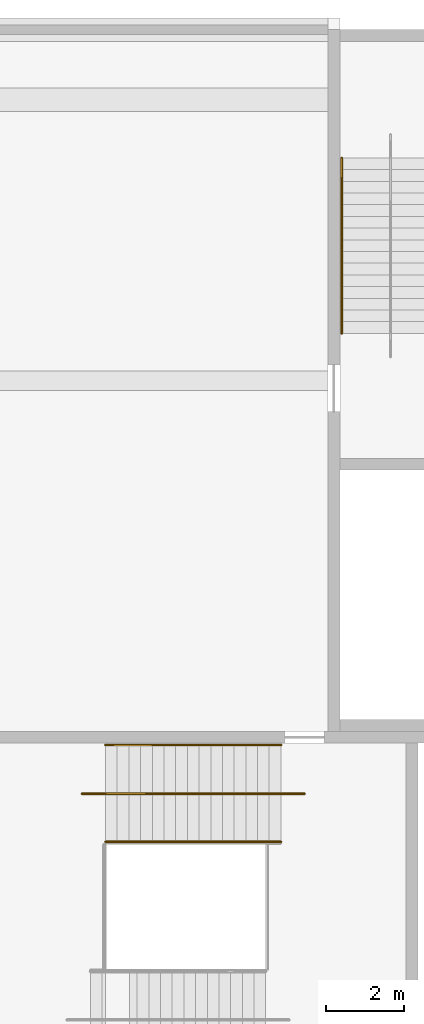
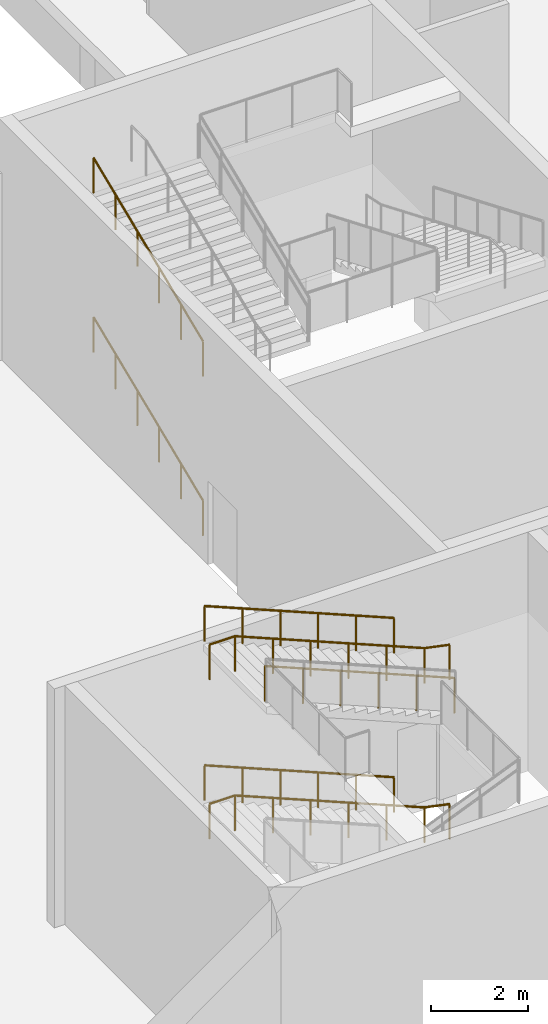
# One storey, part 75 of 89: 7 railings.
"""IFC4 building model written with IfcOpenShell, lengths in metres."""

from ifc_helpers import new_model, si_unit, direction, frame, origin, origin_2d, place, context, subcontext, project, spatial, circle, extrude, material, type_object, element, save


model = new_model("IFC4")

# Units and contexts
model_context = context("Model", 3, precision=1e-05, world=origin(), true_north=direction((0.0, 1.0)))
body_context = subcontext(model_context, "Body", "Model", "MODEL_VIEW")
ifc_project = project(units=[si_unit("LENGTHUNIT", "METRE"), si_unit("AREAUNIT", "SQUARE_METRE"), si_unit("VOLUMEUNIT", "CUBIC_METRE"), si_unit("PLANEANGLEUNIT", "RADIAN"), si_unit("MASSUNIT", "GRAM", prefix="KILO")], contexts=[model_context])

# Site, building, storey
site_placement = place(None, origin())
site = spatial("IfcSite", under=ifc_project, at=site_placement, CompositionType="ELEMENT")
building_placement = place(site_placement, origin())
building = spatial("IfcBuilding", under=site, at=building_placement, Name="Silverbay Arena", CompositionType="ELEMENT")
storey_placement = place(building_placement, frame((0.0, 0.0, 22.0)))
storey = spatial("IfcBuildingStorey", under=building, at=storey_placement, Name="L03", CompositionType="ELEMENT", Elevation=22.0)

# Railings
ifc_material = material(Name="Stainless steel", Category="steel")
railing_type = type_object("IfcRailingType", Name="Stair handrail 900", PredefinedType="HANDRAIL", material=ifc_material)
railing_1_placement = place(storey_placement, frame((178.7900390625, 44.64990234375, 0.125)))
element("IfcRailing", 1, at=railing_1_placement, inside=storey, type_object=railing_type, Name="Stair ST-SE1 L03 to L04 flight 1 handrail left", PredefinedType="HANDRAIL", context=body_context, shape_type="SweptSolid", body=[
    extrude(circle(Radius=0.02392578125, at=origin_2d()), frame((0.0, 0.0, 0.8759765625), z_axis=(-0.923076923077, 0.0, 0.384615384615), x_axis=(0.0, -1.0, 0.0)), (0.0, 0.0, 1.0), 4.875),
    extrude(circle(Radius=0.02099609375, at=origin_2d()), origin(), (0.0, 0.0, 1.0), 0.851806640625),
    extrude(circle(Radius=0.02099609375, at=origin_2d()), frame((-0.89990234375, 0.0, 0.375)), (0.0, 0.0, 1.0), 0.851806640625),
    extrude(circle(Radius=0.02099609375, at=origin_2d()), frame((-1.800048828125, 0.0, 0.75)), (0.0, 0.0, 1.0), 0.851806640625),
    extrude(circle(Radius=0.02099609375, at=origin_2d()), frame((-2.699951171875, 0.0, 1.125)), (0.0, 0.0, 1.0), 0.851806640625),
    extrude(circle(Radius=0.02099609375, at=origin_2d()), frame((-3.60009765625, 0.0, 1.5)), (0.0, 0.0, 1.0), 0.851806640625),
    extrude(circle(Radius=0.02099609375, at=origin_2d()), frame((-4.5, 0.0, 1.875)), (0.0, 0.0, 1.0), 0.851806640625),
])
railing_2_placement = place(storey_placement, frame((179.389892578125, 43.39990234375, 0.0)))
element("IfcRailing", 2, at=railing_2_placement, inside=storey, type_object=railing_type, Name="Stair ST-SE1 L03 to L04 flight 1 central handrail", PredefinedType="HANDRAIL", context=body_context, shape_type="SweptSolid", body=[
    extrude(circle(Radius=0.02392578125, at=origin_2d()), frame((0.0, 0.0, 0.8759765625), z_axis=(-0.978970474113, 0.0, 0.20400198728), x_axis=(0.0, -1.0, 0.0)), (0.0, 0.0, 1.0), 0.61279296875),
    extrude(circle(Radius=0.02392578125, at=origin_2d()), frame((-0.599853515625, 0.0, 1.0009765625), z_axis=(-0.923076923077, 0.0, 0.384615384615), x_axis=(0.0, -1.0, 0.0)), (0.0, 0.0, 1.0), 4.875),
    extrude(circle(Radius=0.02392578125, at=origin_2d()), frame((-5.099853515625, 0.0, 2.8759765625), z_axis=(-1.0, 0.0, 0.0), x_axis=(0.0, -1.0, 0.0)), (0.0, 0.0, 1.0), 0.60009765625),
    extrude(circle(Radius=0.02099609375, at=origin_2d()), origin(), (0.0, 0.0, 1.0), 0.851806640625),
    extrude(circle(Radius=0.02099609375, at=origin_2d()), frame((-0.599853515625, 0.0, 0.125)), (0.0, 0.0, 1.0), 0.851806640625),
    extrude(circle(Radius=0.02099609375, at=origin_2d()), frame((-1.499755859375, 0.0, 0.5)), (0.0, 0.0, 1.0), 0.851806640625),
    extrude(circle(Radius=0.02099609375, at=origin_2d()), frame((-2.39990234375, 0.0, 0.875)), (0.0, 0.0, 1.0), 0.851806640625),
    extrude(circle(Radius=0.02099609375, at=origin_2d()), frame((-3.2998046875, 0.0, 1.25)), (0.0, 0.0, 1.0), 0.851806640625),
    extrude(circle(Radius=0.02099609375, at=origin_2d()), frame((-4.199951171875, 0.0, 1.625)), (0.0, 0.0, 1.0), 0.851806640625),
    extrude(circle(Radius=0.02099609375, at=origin_2d()), frame((-5.099853515625, 0.0, 2.0)), (0.0, 0.0, 1.0), 0.851806640625),
    extrude(circle(Radius=0.02099609375, at=origin_2d()), frame((-5.699951171875, 0.0, 2.0)), (0.0, 0.0, 1.0), 0.851806640625),
])
for number, where, name in (
    (3, (178.7900390625, 44.64990234375, 4.125), "Stair ST-SE1 L03 to L04 flight 3 handrail left"),
    (4, (178.7900390625, 42.1640625, 4.125), "Stair ST-SE1 L03 to L04 flight 3 handrail right"),
):
    element("IfcRailing", number, at=place(storey_placement, frame(where)), inside=storey, type_object=railing_type, Name=name, PredefinedType="HANDRAIL", context=body_context, shape_type="SweptSolid", body=[
        extrude(circle(Radius=0.02392578125, at=origin_2d()), frame((0.0, 0.0, 0.8759765625), z_axis=(-0.923076923077, 0.0, 0.384615384615), x_axis=(0.0, -1.0, 0.0)), (0.0, 0.0, 1.0), 4.875),
        extrude(circle(Radius=0.02099609375, at=origin_2d()), origin(), (0.0, 0.0, 1.0), 0.851806640625),
        extrude(circle(Radius=0.02099609375, at=origin_2d()), frame((-0.89990234375, 0.0, 0.375)), (0.0, 0.0, 1.0), 0.851806640625),
        extrude(circle(Radius=0.02099609375, at=origin_2d()), frame((-1.800048828125, 0.0, 0.75)), (0.0, 0.0, 1.0), 0.851806640625),
        extrude(circle(Radius=0.02099609375, at=origin_2d()), frame((-2.699951171875, 0.0, 1.125)), (0.0, 0.0, 1.0), 0.851806640625),
        extrude(circle(Radius=0.02099609375, at=origin_2d()), frame((-3.60009765625, 0.0, 1.5)), (0.0, 0.0, 1.0), 0.851806640625),
        extrude(circle(Radius=0.02099609375, at=origin_2d()), frame((-4.5, 0.0, 1.875)), (0.0, 0.0, 1.0), 0.851806640625),
    ])
railing_3_placement = place(storey_placement, frame((179.389892578125, 43.39990234375, 4.0)))
element("IfcRailing", 5, at=railing_3_placement, inside=storey, type_object=railing_type, Name="Stair ST-SE1 L03 to L04 flight 3 central handrail", PredefinedType="HANDRAIL", context=body_context, shape_type="SweptSolid", body=[
    extrude(circle(Radius=0.02392578125, at=origin_2d()), frame((0.0, 0.0, 0.8759765625), z_axis=(-0.978970474113, 0.0, 0.20400198728), x_axis=(0.0, -1.0, 0.0)), (0.0, 0.0, 1.0), 0.61279296875),
    extrude(circle(Radius=0.02392578125, at=origin_2d()), frame((-0.599853515625, 0.0, 1.0009765625), z_axis=(-0.923076923077, 0.0, 0.384615384615), x_axis=(0.0, -1.0, 0.0)), (0.0, 0.0, 1.0), 4.875),
    extrude(circle(Radius=0.02392578125, at=origin_2d()), frame((-5.099853515625, 0.0, 2.8759765625), z_axis=(-1.0, 0.0, 0.0), x_axis=(0.0, -1.0, 0.0)), (0.0, 0.0, 1.0), 0.60009765625),
    extrude(circle(Radius=0.02099609375, at=origin_2d()), origin(), (0.0, 0.0, 1.0), 0.851806640625),
    extrude(circle(Radius=0.02099609375, at=origin_2d()), frame((-0.599853515625, 0.0, 0.125)), (0.0, 0.0, 1.0), 0.851806640625),
    extrude(circle(Radius=0.02099609375, at=origin_2d()), frame((-1.499755859375, 0.0, 0.5)), (0.0, 0.0, 1.0), 0.851806640625),
    extrude(circle(Radius=0.02099609375, at=origin_2d()), frame((-2.39990234375, 0.0, 0.875)), (0.0, 0.0, 1.0), 0.851806640625),
    extrude(circle(Radius=0.02099609375, at=origin_2d()), frame((-3.2998046875, 0.0, 1.25)), (0.0, 0.0, 1.0), 0.851806640625),
    extrude(circle(Radius=0.02099609375, at=origin_2d()), frame((-4.199951171875, 0.0, 1.625)), (0.0, 0.0, 1.0), 0.851806640625),
    extrude(circle(Radius=0.02099609375, at=origin_2d()), frame((-5.099853515625, 0.0, 2.0)), (0.0, 0.0, 1.0), 0.851806640625),
    extrude(circle(Radius=0.02099609375, at=origin_2d()), frame((-5.699951171875, 0.0, 2.0)), (0.0, 0.0, 1.0), 0.851806640625),
])
for number, where, name in (
    (6, (180.35009765625, 55.2099609375, 0.125), "Stair ST-SE2 L03 to L04 flight 1 handrail left"),
    (7, (180.35009765625, 55.2099609375, 4.125), "Stair ST-SE2 L03 to L04 flight 3 handrail left"),
):
    element("IfcRailing", number, at=place(storey_placement, frame(where)), inside=storey, type_object=railing_type, Name=name, PredefinedType="HANDRAIL", context=body_context, shape_type="SweptSolid", body=[
        extrude(circle(Radius=0.02392578125, at=origin_2d()), frame((0.0, 0.0, 0.8759765625), z_axis=(0.0, 0.923076923077, 0.384615384615), x_axis=(-1.0, 0.0, 0.0)), (0.0, 0.0, 1.0), 4.875),
        extrude(circle(Radius=0.02099609375, at=origin_2d()), origin(), (0.0, 0.0, 1.0), 0.851806640625),
        extrude(circle(Radius=0.02099609375, at=origin_2d()), frame((0.0, 0.89990234375, 0.375)), (0.0, 0.0, 1.0), 0.851806640625),
        extrude(circle(Radius=0.02099609375, at=origin_2d()), frame((0.0, 1.800048828125, 0.75)), (0.0, 0.0, 1.0), 0.851806640625),
        extrude(circle(Radius=0.02099609375, at=origin_2d()), frame((0.0, 2.699951171875, 1.125)), (0.0, 0.0, 1.0), 0.851806640625),
        extrude(circle(Radius=0.02099609375, at=origin_2d()), frame((0.0, 3.60009765625, 1.5)), (0.0, 0.0, 1.0), 0.851806640625),
        extrude(circle(Radius=0.02099609375, at=origin_2d()), frame((0.0, 4.5, 1.875)), (0.0, 0.0, 1.0), 0.851806640625),
    ])

save(model, "model.ifc")
